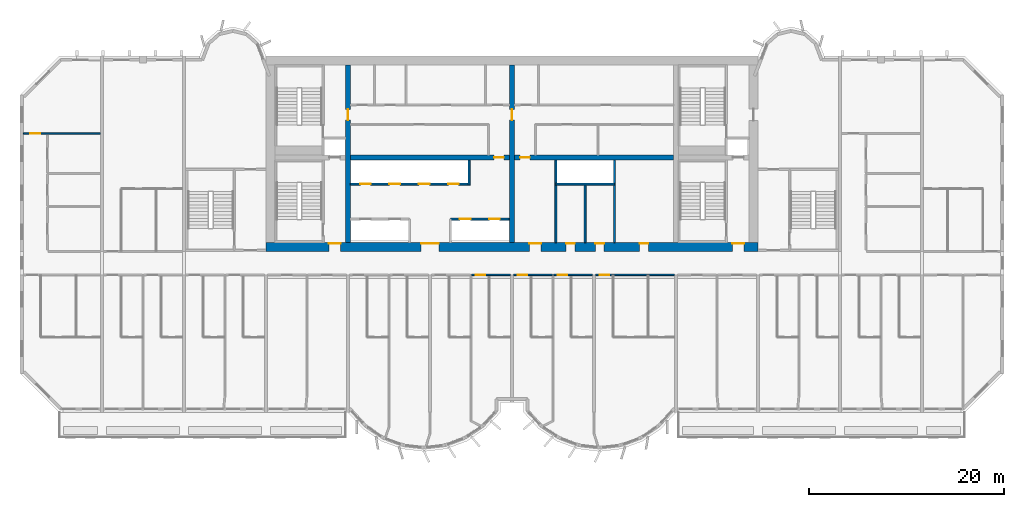
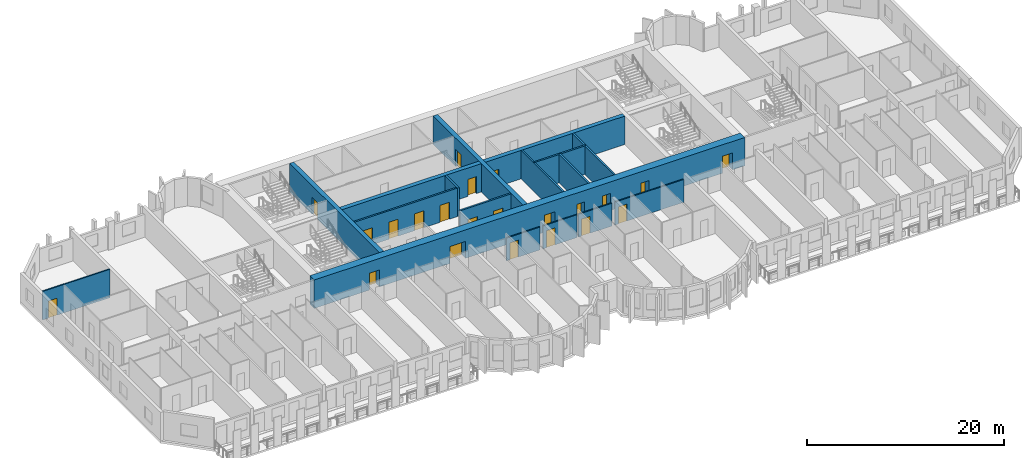
# One storey, part 6 of 14: 22 doors, 17 walls, 22 openings.
"""IFC4 building model written with IfcOpenShell, lengths in metres."""

from ifc_helpers import new_model, si_unit, direction, frame, frame_2d, origin, place, context, subcontext, project, spatial, rectangle, extrude, source, transform, mapped, material, layer, layer_set, type_object, element, fill, save


model = new_model("IFC4")

# Units and contexts
model_context = context("Model", 3, precision=1e-05, world=origin(), true_north=direction((0.0, 1.0)))
body_context = subcontext(model_context, "Body", "Model", "MODEL_VIEW")
ifc_project = project(units=[si_unit("LENGTHUNIT", "METRE"), si_unit("AREAUNIT", "SQUARE_METRE"), si_unit("VOLUMEUNIT", "CUBIC_METRE"), si_unit("PLANEANGLEUNIT", "RADIAN"), si_unit("MASSUNIT", "GRAM", prefix="KILO")], contexts=[model_context])

# Site, building, storey
site_placement = place(None, origin())
site = spatial("IfcSite", under=ifc_project, at=site_placement, CompositionType="ELEMENT")
building_placement = place(site_placement, origin())
building = spatial("IfcBuilding", under=site, at=building_placement, Name="Vanashikhar Sky Hotel", CompositionType="ELEMENT")
storey_placement = place(building_placement, frame((0.0, 0.0, 129.39990234375)))
storey = spatial("IfcBuildingStorey", under=building, at=storey_placement, Name="L31", CompositionType="ELEMENT", Elevation=129.39990234375)

# Wall, openings, doors
ifc_material_1 = material(Name="Concrete M70", Category="concrete")
ifc_layer_1 = layer(ifc_material_1, 0.89990234375)
ifc_layer_set_1 = layer_set([ifc_layer_1], Name="RC core shell wall 900 Concrete M70")
wall_type_1 = type_object("IfcWallType", Name="RC core shell wall 900 Concrete M70", PredefinedType="SHEAR", material=ifc_layer_set_1)
shared_shape_1 = source(origin(), body_context, "Body", "SweptSolid", [
    extrude(rectangle(XDim=50.400146484375, YDim=0.89990234375, at=frame_2d((25.2001953125, 0.0))), origin(), (0.0, 0.0, 1.0), 3.52001953125),
])
wall_1_placement = place(storey_placement, frame((25.199951171875, 22.449951171875, 0.0), z_axis=(0.0, 0.0, 1.0), x_axis=(1.0, 0.0, 0.0)))
wall_1 = element("IfcWall", 1, at=wall_1_placement, inside=storey, type_object=wall_type_1, Name="KW-L31-KS", PredefinedType="SHEAR", context=body_context, shape_type="MappedRepresentation", body=[
    mapped(shared_shape_1, transform((0.0, 0.0, 0.0), scale=1.0)),
])
shared_shape_2 = source(origin(), body_context, "Body", "SweptSolid", [
    extrude(rectangle(XDim=1.800048828125, YDim=2.10009765625, at=frame_2d((0.89990234375, 1.050048828125))), frame((0.0, 0.4599609375, 0.0), z_axis=(0.0, -1.0, 0.0), x_axis=(1.0, 0.0, 0.0)), (0.0, 0.0, 1.0), 0.919921875),
])
opening_1_placement = place(wall_1_placement, frame((15.89990234375, 0.0, 0.0)))
opening_1 = element("IfcOpeningElement", 2, at=opening_1_placement, cuts=wall_1, Name="Opening DC-3-A", PredefinedType="OPENING", context=body_context, shape_type="MappedRepresentation", body=[
    mapped(shared_shape_2, transform((0.0, 0.0, 0.0), scale=1.0)),
])
shared_shape_3 = source(origin(), body_context, "Body", "SweptSolid", [
    extrude(rectangle(XDim=1.199951171875, YDim=2.10009765625, at=frame_2d((0.60009765625, 1.050048828125))), frame((0.0, 0.4599609375, 0.0), z_axis=(0.0, -1.0, 0.0), x_axis=(1.0, 0.0, 0.0)), (0.0, 0.0, 1.0), 0.919921875),
])
opening_2_placement = place(wall_1_placement, frame((26.97509765625, 0.0, 0.0)))
opening_2 = element("IfcOpeningElement", 3, at=opening_2_placement, cuts=wall_1, Name="Opening DC-4-B", PredefinedType="OPENING", context=body_context, shape_type="MappedRepresentation", body=[
    mapped(shared_shape_3, transform((0.0, 0.0, 0.0), scale=1.0)),
])
shared_shape_4 = source(origin(), body_context, "Body", "SweptSolid", [
    extrude(rectangle(XDim=0.89990234375, YDim=2.10009765625, at=frame_2d((0.449951171875, 1.050048828125))), frame((0.0, 0.4599609375, 0.0), z_axis=(0.0, -1.0, 0.0), x_axis=(1.0, 0.0, 0.0)), (0.0, 0.0, 1.0), 0.919921875),
])
opening_3_placement = place(wall_1_placement, frame((33.75, 0.0, 0.0)))
opening_3 = element("IfcOpeningElement", 4, at=opening_3_placement, cuts=wall_1, Name="Opening DC-4-A", PredefinedType="OPENING", context=body_context, shape_type="MappedRepresentation", body=[
    mapped(shared_shape_4, transform((0.0, 0.0, 0.0), scale=1.0)),
])
opening_4_placement = place(wall_1_placement, frame((30.75, 0.0, 0.0)))
opening_4 = element("IfcOpeningElement", 5, at=opening_4_placement, cuts=wall_1, Name="Opening DC-4-A", PredefinedType="OPENING", context=body_context, shape_type="MappedRepresentation", body=[
    mapped(shared_shape_4, transform((0.0, 0.0, 0.0), scale=1.0)),
])
opening_5_placement = place(wall_1_placement, frame((38.27490234375, 0.0, 0.0)))
opening_5 = element("IfcOpeningElement", 6, at=opening_5_placement, cuts=wall_1, Name="Opening DC-4-A", PredefinedType="OPENING", context=body_context, shape_type="MappedRepresentation", body=[
    mapped(shared_shape_4, transform((0.0, 0.0, 0.0), scale=1.0)),
])
opening_6_placement = place(wall_1_placement, frame((6.449951171875, 0.0, 0.0)))
opening_6 = element("IfcOpeningElement", 7, at=opening_6_placement, cuts=wall_1, Name="Opening DC-2", PredefinedType="OPENING", context=body_context, shape_type="MappedRepresentation", body=[
    mapped(shared_shape_3, transform((0.0, 0.0, 0.0), scale=1.0)),
])
opening_7_placement = place(wall_1_placement, frame((47.77490234375, 0.0, 0.0)))
opening_7 = element("IfcOpeningElement", 8, at=opening_7_placement, cuts=wall_1, Name="Opening DC-2", PredefinedType="OPENING", context=body_context, shape_type="MappedRepresentation", body=[
    mapped(shared_shape_3, transform((0.0, 0.0, 0.0), scale=1.0)),
])
ifc_material_2 = material(Name="Glass", Category="glass")
door_type_1 = type_object("IfcDoorType", Name="Lift lobby entrance door 1800 FD30S", OperationType="NOTDEFINED", PredefinedType="DOOR", material=ifc_material_2)
shared_shape_5 = source(origin(), body_context, "Body", "SweptSolid", [
    extrude(rectangle(XDim=1.800048828125, YDim=2.10009765625, at=frame_2d((0.89990234375, 1.050048828125))), frame((0.0, 0.375, 0.0), z_axis=(0.0, -1.0, 0.0), x_axis=(1.0, 0.0, 0.0)), (0.0, 0.0, 1.0), 0.050048828125),
])
door_1_placement = place(opening_1_placement, origin())
door_1 = element("IfcDoor", 9, at=door_1_placement, inside=storey, type_object=door_type_1, Name="Lift lobby entrance door 1800 FD30S", OperationType="DOUBLE_DOOR_SINGLE_SWING", OverallHeight=2.10009765625, OverallWidth=1.800048828125, PredefinedType="DOOR", context=body_context, shape_type="MappedRepresentation", body=[
    mapped(shared_shape_5, transform((0.0, 0.0, 0.0), scale=1.0)),
])
fill(opening_1, door_1)
ifc_material_3 = material(Name="Steel", Category="steel")
door_type_2 = type_object("IfcDoorType", Name="Service door 1200 FD60", OperationType="NOTDEFINED", PredefinedType="DOOR", material=ifc_material_3)
shared_shape_6 = source(origin(), body_context, "Body", "SweptSolid", [
    extrude(rectangle(XDim=1.199951171875, YDim=2.10009765625, at=frame_2d((0.60009765625, 1.050048828125))), frame((0.0, 0.375, 0.0), z_axis=(0.0, -1.0, 0.0), x_axis=(1.0, 0.0, 0.0)), (0.0, 0.0, 1.0), 0.050048828125),
])
door_2_placement = place(opening_2_placement, origin())
door_2 = element("IfcDoor", 10, at=door_2_placement, inside=storey, type_object=door_type_2, Name="Service door 1200 FD60", OperationType="SINGLE_SWING_RIGHT", OverallHeight=2.10009765625, OverallWidth=1.199951171875, PredefinedType="DOOR", context=body_context, shape_type="MappedRepresentation", body=[
    mapped(shared_shape_6, transform((0.0, 0.0, 0.0), scale=1.0)),
])
fill(opening_2, door_2)
door_type_3 = type_object("IfcDoorType", Name="Firefighting lobby door 1200 FD120", OperationType="NOTDEFINED", PredefinedType="DOOR", material=ifc_material_3)
door_3_placement = place(opening_6_placement, origin())
door_3 = element("IfcDoor", 11, at=door_3_placement, inside=storey, type_object=door_type_3, Name="Firefighting lobby door 1200 FD120", OperationType="SINGLE_SWING_RIGHT", OverallHeight=2.10009765625, OverallWidth=1.199951171875, PredefinedType="DOOR", context=body_context, shape_type="MappedRepresentation", body=[
    mapped(shared_shape_6, transform((0.0, 0.0, 0.0), scale=1.0)),
])
fill(opening_6, door_3)
door_4_placement = place(opening_7_placement, origin())
door_4 = element("IfcDoor", 12, at=door_4_placement, inside=storey, type_object=door_type_3, Name="Firefighting lobby door 1200 FD120", OperationType="SINGLE_SWING_RIGHT", OverallHeight=2.10009765625, OverallWidth=1.199951171875, PredefinedType="DOOR", context=body_context, shape_type="MappedRepresentation", body=[
    mapped(shared_shape_6, transform((0.0, 0.0, 0.0), scale=1.0)),
])
fill(opening_7, door_4)
door_type_4 = type_object("IfcDoorType", Name="Service door 900 FD60", OperationType="NOTDEFINED", PredefinedType="DOOR", material=ifc_material_3)
shared_shape_7 = source(origin(), body_context, "Body", "SweptSolid", [
    extrude(rectangle(XDim=0.89990234375, YDim=2.10009765625, at=frame_2d((0.449951171875, 1.050048828125))), frame((0.0, 0.375, 0.0), z_axis=(0.0, -1.0, 0.0), x_axis=(1.0, 0.0, 0.0)), (0.0, 0.0, 1.0), 0.050048828125),
])
door_5_placement = place(opening_3_placement, origin())
door_5 = element("IfcDoor", 13, at=door_5_placement, inside=storey, type_object=door_type_4, Name="Service door 900 FD60", OperationType="SINGLE_SWING_RIGHT", OverallHeight=2.10009765625, OverallWidth=0.89990234375, PredefinedType="DOOR", context=body_context, shape_type="MappedRepresentation", body=[
    mapped(shared_shape_7, transform((0.0, 0.0, 0.0), scale=1.0)),
])
fill(opening_3, door_5)
door_6_placement = place(opening_4_placement, origin())
door_6 = element("IfcDoor", 14, at=door_6_placement, inside=storey, type_object=door_type_4, Name="Service door 900 FD60", OperationType="SINGLE_SWING_LEFT", OverallHeight=2.10009765625, OverallWidth=0.89990234375, PredefinedType="DOOR", context=body_context, shape_type="MappedRepresentation", body=[
    mapped(shared_shape_7, transform((0.0, 0.0, 0.0), scale=1.0)),
])
fill(opening_4, door_6)
door_7_placement = place(opening_5_placement, origin())
door_7 = element("IfcDoor", 15, at=door_7_placement, inside=storey, type_object=door_type_4, Name="Service door 900 FD60", OperationType="SINGLE_SWING_LEFT", OverallHeight=2.10009765625, OverallWidth=0.89990234375, PredefinedType="DOOR", context=body_context, shape_type="MappedRepresentation", body=[
    mapped(shared_shape_7, transform((0.0, 0.0, 0.0), scale=1.0)),
])
fill(opening_5, door_7)

# Wall, opening, door
ifc_layer_2 = layer(ifc_material_1, 0.5)
ifc_layer_set_2 = layer_set([ifc_layer_2], Name="RC core inner wall 500 Concrete M70")
wall_type_2 = type_object("IfcWallType", Name="RC core inner wall 500 Concrete M70", PredefinedType="SHEAR", material=ifc_layer_set_2)
shared_shape_8 = source(origin(), body_context, "Body", "SweptSolid", [
    extrude(rectangle(XDim=18.2001953125, YDim=0.5, at=frame_2d((9.10009765625, 0.0))), origin(), (0.0, 0.0, 1.0), 3.52001953125),
])
wall_2_placement = place(storey_placement, frame((33.60009765625, 22.89990234375, 0.0), z_axis=(0.0, 0.0, 1.0), x_axis=(0.0, 1.0, 0.0)))
wall_2 = element("IfcWall", 16, at=wall_2_placement, inside=storey, type_object=wall_type_2, Name="KW-L31-KX1", PredefinedType="SHEAR", context=body_context, shape_type="MappedRepresentation", body=[
    mapped(shared_shape_8, transform((0.0, 0.0, 0.0), scale=1.0)),
])
shared_shape_9 = source(origin(), body_context, "Body", "SweptSolid", [
    extrude(rectangle(XDim=1.10009765625, YDim=2.10009765625, at=frame_2d((0.550048828125, 1.050048828125))), frame((0.0, 0.260009765625, 0.0), z_axis=(0.0, -1.0, 0.0), x_axis=(1.0, 0.0, 0.0)), (0.0, 0.0, 1.0), 0.52001953125),
])
opening_8_placement = place(wall_2_placement, frame((12.550048828125, 0.0, 0.0)))
opening_8 = element("IfcOpeningElement", 17, at=opening_8_placement, cuts=wall_2, Name="Opening DC-4-C", PredefinedType="OPENING", context=body_context, shape_type="MappedRepresentation", body=[
    mapped(shared_shape_9, transform((0.0, 0.0, 0.0), scale=1.0)),
])
door_type_5 = type_object("IfcDoorType", Name="Service door 1100 FD60", OperationType="NOTDEFINED", PredefinedType="DOOR", material=ifc_material_3)
shared_shape_10 = source(origin(), body_context, "Body", "SweptSolid", [
    extrude(rectangle(XDim=1.10009765625, YDim=2.10009765625, at=frame_2d((0.550048828125, 1.050048828125))), frame((0.0, 0.02490234375, 0.0), z_axis=(0.0, -1.0, 0.0), x_axis=(1.0, 0.0, 0.0)), (0.0, 0.0, 1.0), 0.050048828125),
])
door_8_placement = place(opening_8_placement, origin())
door_8 = element("IfcDoor", 18, at=door_8_placement, inside=storey, type_object=door_type_5, Name="Service door 1100 FD60", OperationType="SINGLE_SWING_RIGHT", OverallHeight=2.10009765625, OverallWidth=1.10009765625, PredefinedType="DOOR", context=body_context, shape_type="MappedRepresentation", body=[
    mapped(shared_shape_10, transform((0.0, 0.0, 0.0), scale=1.0)),
])
fill(opening_8, door_8)

wall_3_placement = place(storey_placement, frame((50.39990234375, 22.89990234375, 0.0), z_axis=(0.0, 0.0, 1.0), x_axis=(0.0, 1.0, 0.0)))
wall_3 = element("IfcWall", 19, at=wall_3_placement, inside=storey, type_object=wall_type_2, Name="KW-L31-KX2", PredefinedType="SHEAR", context=body_context, shape_type="MappedRepresentation", body=[
    mapped(shared_shape_8, transform((0.0, 0.0, 0.0), scale=1.0)),
])
opening_9_placement = place(wall_3_placement, frame((12.550048828125, 0.0, 0.0)))
opening_9 = element("IfcOpeningElement", 20, at=opening_9_placement, cuts=wall_3, Name="Opening DC-4-C", PredefinedType="OPENING", context=body_context, shape_type="MappedRepresentation", body=[
    mapped(shared_shape_9, transform((0.0, 0.0, 0.0), scale=1.0)),
])
door_9_placement = place(opening_9_placement, origin())
door_9 = element("IfcDoor", 21, at=door_9_placement, inside=storey, type_object=door_type_5, Name="Service door 1100 FD60", OperationType="SINGLE_SWING_LEFT", OverallHeight=2.10009765625, OverallWidth=1.10009765625, PredefinedType="DOOR", context=body_context, shape_type="MappedRepresentation", body=[
    mapped(shared_shape_10, transform((0.0, 0.0, 0.0), scale=1.0)),
])
fill(opening_9, door_9)

shared_shape_11 = source(origin(), body_context, "Body", "SweptSolid", [
    extrude(rectangle(XDim=16.2998046875, YDim=0.5, at=frame_2d((8.14990234375, 0.0))), origin(), (0.0, 0.0, 1.0), 3.52001953125),
])
wall_4_placement = place(storey_placement, frame((33.85009765625, 31.60009765625, 0.0), z_axis=(0.0, 0.0, 1.0), x_axis=(1.0, 0.0, 0.0)))
wall_4 = element("IfcWall", 22, at=wall_4_placement, inside=storey, type_object=wall_type_2, Name="KW-L31-KY2", PredefinedType="SHEAR", context=body_context, shape_type="MappedRepresentation", body=[
    mapped(shared_shape_11, transform((0.0, 0.0, 0.0), scale=1.0)),
])
shared_shape_12 = source(origin(), body_context, "Body", "SweptSolid", [
    extrude(rectangle(XDim=1.0, YDim=2.10009765625, at=frame_2d((0.5, 1.050048828125))), frame((0.0, 0.260009765625, 0.0), z_axis=(0.0, -1.0, 0.0), x_axis=(1.0, 0.0, 0.0)), (0.0, 0.0, 1.0), 0.52001953125),
])
opening_10_placement = place(wall_4_placement, frame((14.72509765625, 0.0, 0.0)))
opening_10 = element("IfcOpeningElement", 23, at=opening_10_placement, cuts=wall_4, Name="Opening DC-4", PredefinedType="OPENING", context=body_context, shape_type="MappedRepresentation", body=[
    mapped(shared_shape_12, transform((0.0, 0.0, 0.0), scale=1.0)),
])
door_type_6 = type_object("IfcDoorType", Name="Service door 1000 FD60", OperationType="NOTDEFINED", PredefinedType="DOOR", material=ifc_material_3)
shared_shape_13 = source(origin(), body_context, "Body", "SweptSolid", [
    extrude(rectangle(XDim=1.0, YDim=2.10009765625, at=frame_2d((0.5, 1.050048828125))), frame((0.0, 0.02490234375, 0.0), z_axis=(0.0, -1.0, 0.0), x_axis=(1.0, 0.0, 0.0)), (0.0, 0.0, 1.0), 0.050048828125),
])
door_10_placement = place(opening_10_placement, origin())
door_10 = element("IfcDoor", 24, at=door_10_placement, inside=storey, type_object=door_type_6, Name="Service door 1000 FD60", OperationType="SINGLE_SWING_LEFT", OverallHeight=2.10009765625, OverallWidth=1.0, PredefinedType="DOOR", context=body_context, shape_type="MappedRepresentation", body=[
    mapped(shared_shape_13, transform((0.0, 0.0, 0.0), scale=1.0)),
])
fill(opening_10, door_10)

shared_shape_14 = source(origin(), body_context, "Body", "SweptSolid", [
    extrude(rectangle(XDim=16.300048828125, YDim=0.5, at=frame_2d((8.14990234375, 0.0))), origin(), (0.0, 0.0, 1.0), 3.52001953125),
])
wall_5_placement = place(storey_placement, frame((50.64990234375, 31.60009765625, 0.0), z_axis=(0.0, 0.0, 1.0), x_axis=(1.0, 0.0, 0.0)))
wall_5 = element("IfcWall", 25, at=wall_5_placement, inside=storey, type_object=wall_type_2, Name="KW-L31-KY3", PredefinedType="SHEAR", context=body_context, shape_type="MappedRepresentation", body=[
    mapped(shared_shape_14, transform((0.0, 0.0, 0.0), scale=1.0)),
])
opening_11_placement = place(wall_5_placement, frame((0.574951171875, 0.0, 0.0)))
opening_11 = element("IfcOpeningElement", 26, at=opening_11_placement, cuts=wall_5, Name="Opening DC-4", PredefinedType="OPENING", context=body_context, shape_type="MappedRepresentation", body=[
    mapped(shared_shape_12, transform((0.0, 0.0, 0.0), scale=1.0)),
])
door_11_placement = place(opening_11_placement, origin())
door_11 = element("IfcDoor", 27, at=door_11_placement, inside=storey, type_object=door_type_6, Name="Service door 1000 FD60", OperationType="SINGLE_SWING_RIGHT", OverallHeight=2.10009765625, OverallWidth=1.0, PredefinedType="DOOR", context=body_context, shape_type="MappedRepresentation", body=[
    mapped(shared_shape_13, transform((0.0, 0.0, 0.0), scale=1.0)),
])
fill(opening_11, door_11)

# Wall, openings, doors
ifc_material_4 = material(Name="Concrete M40", Category="concrete")
ifc_layer_3 = layer(ifc_material_4, 0.199951171875)
ifc_layer_set_3 = layer_set([ifc_layer_3], Name="Shaft wall 200")
wall_type_3 = type_object("IfcWallType", Name="Shaft wall 200", PredefinedType="SOLIDWALL", material=ifc_layer_set_3)
shared_shape_15 = source(origin(), body_context, "Body", "SweptSolid", [
    extrude(rectangle(XDim=6.0, YDim=0.199951171875, at=frame_2d((3.0, 0.0))), origin(), (0.0, 0.0, 1.0), 3.52001953125),
])
wall_6_placement = place(storey_placement, frame((44.10009765625, 25.300048828125, 0.0), z_axis=(0.0, 0.0, 1.0), x_axis=(1.0, 0.0, 0.0)))
wall_6 = element("IfcWall", 28, at=wall_6_placement, inside=storey, type_object=wall_type_3, Name="Shaft wall 200", PredefinedType="SOLIDWALL", context=body_context, shape_type="MappedRepresentation", body=[
    mapped(shared_shape_15, transform((0.0, 0.0, 0.0), scale=1.0)),
])
shared_shape_16 = source(origin(), body_context, "Body", "SweptSolid", [
    extrude(rectangle(XDim=1.10009765625, YDim=2.10009765625, at=frame_2d((0.550048828125, 1.050048828125))), frame((0.0, 0.10986328125, 0.0), z_axis=(0.0, -1.0, 0.0), x_axis=(1.0, 0.0, 0.0)), (0.0, 0.0, 1.0), 0.219970703125),
])
opening_12_placement = place(wall_6_placement, frame((0.949951171875, 0.0, 0.0)))
opening_12 = element("IfcOpeningElement", 29, at=opening_12_placement, cuts=wall_6, Name="Opening LD", PredefinedType="OPENING", context=body_context, shape_type="MappedRepresentation", body=[
    mapped(shared_shape_16, transform((0.0, 0.0, 0.0), scale=1.0)),
])
opening_13_placement = place(wall_6_placement, frame((3.949951171875, 0.0, 0.0)))
opening_13 = element("IfcOpeningElement", 30, at=opening_13_placement, cuts=wall_6, Name="Opening LD", PredefinedType="OPENING", context=body_context, shape_type="MappedRepresentation", body=[
    mapped(shared_shape_16, transform((0.0, 0.0, 0.0), scale=1.0)),
])
ifc_material_5 = material(Name="Stainless steel", Category="steel")
door_type_7 = type_object("IfcDoorType", Name="Lift landing door 1100", OperationType="NOTDEFINED", PredefinedType="DOOR", material=ifc_material_5)
door_12_placement = place(opening_12_placement, origin())
door_12 = element("IfcDoor", 31, at=door_12_placement, inside=storey, type_object=door_type_7, Name="Lift landing door 1100", OperationType="SLIDING_TO_LEFT", OverallHeight=2.10009765625, OverallWidth=1.10009765625, PredefinedType="DOOR", context=body_context, shape_type="MappedRepresentation", body=[
    mapped(shared_shape_10, transform((0.0, 0.0, 0.0), scale=1.0)),
])
fill(opening_12, door_12)
door_13_placement = place(opening_13_placement, origin())
door_13 = element("IfcDoor", 32, at=door_13_placement, inside=storey, type_object=door_type_7, Name="Lift landing door 1100", OperationType="SLIDING_TO_RIGHT", OverallHeight=2.10009765625, OverallWidth=1.10009765625, PredefinedType="DOOR", context=body_context, shape_type="MappedRepresentation", body=[
    mapped(shared_shape_10, transform((0.0, 0.0, 0.0), scale=1.0)),
])
fill(opening_13, door_13)

# Walls
wall_7_placement = place(storey_placement, frame((60.89990234375, 28.89990234375, 0.0), z_axis=(0.0, 0.0, 1.0), x_axis=(-1.0, 0.0, 0.0)))
element("IfcWall", 33, at=wall_7_placement, inside=storey, type_object=wall_type_3, Name="Shaft wall 200", PredefinedType="SOLIDWALL", context=body_context, shape_type="MappedRepresentation", body=[
    mapped(shared_shape_15, transform((0.0, 0.0, 0.0), scale=1.0)),
])
ifc_material_6 = material(Name="Gypsum board partition")
ifc_layer_4 = layer(ifc_material_6, 0.14990234375)
ifc_layer_set_4 = layer_set([ifc_layer_4], Name="Service partition 150")
wall_type_4 = type_object("IfcWallType", Name="Service partition 150", PredefinedType="PARTITIONING", material=ifc_layer_set_4)
wall_8_placement = place(storey_placement, frame((57.89990234375, 22.89990234375, 0.0), z_axis=(0.0, 0.0, 1.0), x_axis=(0.0, 1.0, 0.0)))
element("IfcWall", 34, at=wall_8_placement, inside=storey, type_object=wall_type_4, Name="Service partition 150", PredefinedType="PARTITIONING", context=body_context, shape_type="MappedRepresentation", body=[
    mapped(shared_shape_15, transform((0.0, 0.0, 0.0), scale=1.0)),
])

# Wall, openings, doors
shared_shape_17 = source(origin(), body_context, "Body", "SweptSolid", [
    extrude(rectangle(XDim=12.0498046875, YDim=0.199951171875, at=frame_2d((6.02490234375, 0.0))), origin(), (0.0, 0.0, 1.0), 3.52001953125),
])
wall_9_placement = place(storey_placement, frame((33.85009765625, 28.89990234375, 0.0), z_axis=(0.0, 0.0, 1.0), x_axis=(1.0, 0.0, 0.0)))
wall_9 = element("IfcWall", 35, at=wall_9_placement, inside=storey, type_object=wall_type_3, Name="Shaft wall 200", PredefinedType="SOLIDWALL", context=body_context, shape_type="MappedRepresentation", body=[
    mapped(shared_shape_17, transform((0.0, 0.0, 0.0), scale=1.0)),
])
opening_14_placement = place(wall_9_placement, frame((1.0, 0.0, 0.0)))
opening_14 = element("IfcOpeningElement", 36, at=opening_14_placement, cuts=wall_9, Name="Opening LD", PredefinedType="OPENING", context=body_context, shape_type="MappedRepresentation", body=[
    mapped(shared_shape_16, transform((0.0, 0.0, 0.0), scale=1.0)),
])
opening_15_placement = place(wall_9_placement, frame((4.0, 0.0, 0.0)))
opening_15 = element("IfcOpeningElement", 37, at=opening_15_placement, cuts=wall_9, Name="Opening LD", PredefinedType="OPENING", context=body_context, shape_type="MappedRepresentation", body=[
    mapped(shared_shape_16, transform((0.0, 0.0, 0.0), scale=1.0)),
])
opening_16_placement = place(wall_9_placement, frame((7.0, 0.0, 0.0)))
opening_16 = element("IfcOpeningElement", 38, at=opening_16_placement, cuts=wall_9, Name="Opening LD", PredefinedType="OPENING", context=body_context, shape_type="MappedRepresentation", body=[
    mapped(shared_shape_16, transform((0.0, 0.0, 0.0), scale=1.0)),
])
opening_17_placement = place(wall_9_placement, frame((10.0, 0.0, 0.0)))
opening_17 = element("IfcOpeningElement", 39, at=opening_17_placement, cuts=wall_9, Name="Opening LD", PredefinedType="OPENING", context=body_context, shape_type="MappedRepresentation", body=[
    mapped(shared_shape_16, transform((0.0, 0.0, 0.0), scale=1.0)),
])
door_14_placement = place(opening_14_placement, origin())
door_14 = element("IfcDoor", 40, at=door_14_placement, inside=storey, type_object=door_type_7, Name="Lift landing door 1100", OperationType="SLIDING_TO_LEFT", OverallHeight=2.10009765625, OverallWidth=1.10009765625, PredefinedType="DOOR", context=body_context, shape_type="MappedRepresentation", body=[
    mapped(shared_shape_10, transform((0.0, 0.0, 0.0), scale=1.0)),
])
fill(opening_14, door_14)
door_15_placement = place(opening_15_placement, origin())
door_15 = element("IfcDoor", 41, at=door_15_placement, inside=storey, type_object=door_type_7, Name="Lift landing door 1100", OperationType="SLIDING_TO_RIGHT", OverallHeight=2.10009765625, OverallWidth=1.10009765625, PredefinedType="DOOR", context=body_context, shape_type="MappedRepresentation", body=[
    mapped(shared_shape_10, transform((0.0, 0.0, 0.0), scale=1.0)),
])
fill(opening_15, door_15)
door_16_placement = place(opening_16_placement, origin())
door_16 = element("IfcDoor", 42, at=door_16_placement, inside=storey, type_object=door_type_7, Name="Lift landing door 1100", OperationType="SLIDING_TO_LEFT", OverallHeight=2.10009765625, OverallWidth=1.10009765625, PredefinedType="DOOR", context=body_context, shape_type="MappedRepresentation", body=[
    mapped(shared_shape_10, transform((0.0, 0.0, 0.0), scale=1.0)),
])
fill(opening_16, door_16)
door_17_placement = place(opening_17_placement, origin())
door_17 = element("IfcDoor", 43, at=door_17_placement, inside=storey, type_object=door_type_7, Name="Lift landing door 1100", OperationType="SLIDING_TO_RIGHT", OverallHeight=2.10009765625, OverallWidth=1.10009765625, PredefinedType="DOOR", context=body_context, shape_type="MappedRepresentation", body=[
    mapped(shared_shape_10, transform((0.0, 0.0, 0.0), scale=1.0)),
])
fill(opening_17, door_17)

# Walls
shared_shape_18 = source(origin(), body_context, "Body", "SweptSolid", [
    extrude(rectangle(XDim=2.550048828125, YDim=0.199951171875, at=frame_2d((1.27490234375, 0.0))), origin(), (0.0, 0.0, 1.0), 3.52001953125),
])
wall_10_placement = place(storey_placement, frame((46.0, 28.800048828125, 0.0), z_axis=(0.0, 0.0, 1.0), x_axis=(0.0, 1.0, 0.0)))
element("IfcWall", 44, at=wall_10_placement, inside=storey, type_object=wall_type_3, Name="Shaft wall 200", PredefinedType="SOLIDWALL", context=body_context, shape_type="MappedRepresentation", body=[
    mapped(shared_shape_18, transform((0.0, 0.0, 0.0), scale=1.0)),
])
shared_shape_19 = source(origin(), body_context, "Body", "SweptSolid", [
    extrude(rectangle(XDim=8.4501953125, YDim=0.199951171875, at=frame_2d((4.22509765625, 0.0))), origin(), (0.0, 0.0, 1.0), 3.52001953125),
])
for number, where, z_axis, x_axis, name in (
    (45, (54.89990234375, 22.89990234375, 0.0), (0.0, 0.0, 1.0), (0.0, 1.0, 0.0), "Service partition 150"),
    (46, (60.89990234375, 22.89990234375, 0.0), (0.0, 0.0, 1.0), (0.0, 1.0, 0.0), "Service partition 150"),
):
    element("IfcWall", number, at=place(storey_placement, frame(where, z_axis=z_axis, x_axis=x_axis)), inside=storey, type_object=wall_type_4, Name=name, PredefinedType="PARTITIONING", context=body_context, shape_type="MappedRepresentation", body=[
        mapped(shared_shape_19, transform((0.0, 0.0, 0.0), scale=1.0)),
    ])

# Wall, opening, door
ifc_material_7 = material(Name="Gypsum plasterboard partition")
ifc_layer_5 = layer(ifc_material_7, 0.14990234375)
ifc_layer_set_5 = layer_set([ifc_layer_5], Name="Corridor and demising partition 150")
wall_type_5 = type_object("IfcWallType", Name="Corridor and demising partition 150", PredefinedType="PARTITIONING", material=ifc_layer_set_5)
shared_shape_20 = source(origin(), body_context, "Body", "SweptSolid", [
    extrude(rectangle(XDim=3.9501953125, YDim=0.14990234375, at=frame_2d((1.97509765625, 0.0))), origin(), (0.0, 0.0, 1.0), 2.820068359375),
])
wall_11_placement = place(storey_placement, frame((46.27490234375, 19.60009765625, 0.0), z_axis=(0.0, 0.0, 1.0), x_axis=(1.0, 0.0, 0.0)))
wall_11 = element("IfcWall", 47, at=wall_11_placement, inside=storey, type_object=wall_type_5, Name="W-L31-PW035", PredefinedType="PARTITIONING", context=body_context, shape_type="MappedRepresentation", body=[
    mapped(shared_shape_20, transform((0.0, 0.0, 0.0), scale=1.0)),
])
shared_shape_21 = source(origin(), body_context, "Body", "SweptSolid", [
    extrude(rectangle(XDim=1.0, YDim=2.10009765625, at=frame_2d((0.5, 1.050048828125))), frame((0.0, 0.0849609375, 0.0), z_axis=(0.0, -1.0, 0.0), x_axis=(1.0, 0.0, 0.0)), (0.0, 0.0, 1.0), 0.169921875),
])
opening_18_placement = place(wall_11_placement, frame((0.39990234375, 0.0, 0.0)))
opening_18 = element("IfcOpeningElement", 48, at=opening_18_placement, cuts=wall_11, Name="Opening D-01", PredefinedType="OPENING", context=body_context, shape_type="MappedRepresentation", body=[
    mapped(shared_shape_21, transform((0.0, 0.0, 0.0), scale=1.0)),
])
ifc_material_8 = material(Name="Timber fire door", Category="wood")
door_type_8 = type_object("IfcDoorType", Name="Guest entry door 1000 FD30S", OperationType="NOTDEFINED", PredefinedType="DOOR", material=ifc_material_8)
door_18_placement = place(opening_18_placement, origin())
door_18 = element("IfcDoor", 49, at=door_18_placement, inside=storey, type_object=door_type_8, Name="D-L31-021", OperationType="SINGLE_SWING_LEFT", OverallHeight=2.10009765625, OverallWidth=1.0, PredefinedType="DOOR", context=body_context, shape_type="MappedRepresentation", body=[
    mapped(shared_shape_13, transform((0.0, 0.0, 0.0), scale=1.0)),
])
fill(opening_18, door_18)

shared_shape_22 = source(origin(), body_context, "Body", "SweptSolid", [
    extrude(rectangle(XDim=8.0498046875, YDim=0.14990234375, at=frame_2d((4.02490234375, 0.0))), origin(), (0.0, 0.0, 1.0), 2.820068359375),
])
wall_12_placement = place(storey_placement, frame((58.97509765625, 19.60009765625, 0.0), z_axis=(0.0, 0.0, 1.0), x_axis=(1.0, 0.0, 0.0)))
wall_12 = element("IfcWall", 50, at=wall_12_placement, inside=storey, type_object=wall_type_5, Name="W-L31-PW048", PredefinedType="PARTITIONING", context=body_context, shape_type="MappedRepresentation", body=[
    mapped(shared_shape_22, transform((0.0, 0.0, 0.0), scale=1.0)),
])
opening_19_placement = place(wall_12_placement, frame((0.39990234375, 0.0, 0.0)))
opening_19 = element("IfcOpeningElement", 51, at=opening_19_placement, cuts=wall_12, Name="Opening D-01", PredefinedType="OPENING", context=body_context, shape_type="MappedRepresentation", body=[
    mapped(shared_shape_21, transform((0.0, 0.0, 0.0), scale=1.0)),
])
door_19_placement = place(opening_19_placement, origin())
door_19 = element("IfcDoor", 52, at=door_19_placement, inside=storey, type_object=door_type_8, Name="D-L31-028", OperationType="SINGLE_SWING_LEFT", OverallHeight=2.10009765625, OverallWidth=1.0, PredefinedType="DOOR", context=body_context, shape_type="MappedRepresentation", body=[
    mapped(shared_shape_13, transform((0.0, 0.0, 0.0), scale=1.0)),
])
fill(opening_19, door_19)

shared_shape_23 = source(origin(), body_context, "Body", "SweptSolid", [
    extrude(rectangle(XDim=3.949951171875, YDim=0.14990234375, at=frame_2d((1.97509765625, 0.0))), origin(), (0.0, 0.0, 1.0), 2.820068359375),
])
wall_13_placement = place(storey_placement, frame((50.574951171875, 19.60009765625, 0.0), z_axis=(0.0, 0.0, 1.0), x_axis=(1.0, 0.0, 0.0)))
wall_13 = element("IfcWall", 53, at=wall_13_placement, inside=storey, type_object=wall_type_5, Name="W-L31-PW039", PredefinedType="PARTITIONING", context=body_context, shape_type="MappedRepresentation", body=[
    mapped(shared_shape_23, transform((0.0, 0.0, 0.0), scale=1.0)),
])
opening_20_placement = place(wall_13_placement, frame((0.39990234375, 0.0, 0.0)))
opening_20 = element("IfcOpeningElement", 54, at=opening_20_placement, cuts=wall_13, Name="Opening D-01", PredefinedType="OPENING", context=body_context, shape_type="MappedRepresentation", body=[
    mapped(shared_shape_21, transform((0.0, 0.0, 0.0), scale=1.0)),
])
door_20_placement = place(opening_20_placement, origin())
door_20 = element("IfcDoor", 55, at=door_20_placement, inside=storey, type_object=door_type_8, Name="D-L31-023", OperationType="SINGLE_SWING_LEFT", OverallHeight=2.10009765625, OverallWidth=1.0, PredefinedType="DOOR", context=body_context, shape_type="MappedRepresentation", body=[
    mapped(shared_shape_13, transform((0.0, 0.0, 0.0), scale=1.0)),
])
fill(opening_20, door_20)

wall_14_placement = place(storey_placement, frame((54.675048828125, 19.60009765625, 0.0), z_axis=(0.0, 0.0, 1.0), x_axis=(1.0, 0.0, 0.0)))
wall_14 = element("IfcWall", 56, at=wall_14_placement, inside=storey, type_object=wall_type_5, Name="W-L31-PW042", PredefinedType="PARTITIONING", context=body_context, shape_type="MappedRepresentation", body=[
    mapped(shared_shape_23, transform((0.0, 0.0, 0.0), scale=1.0)),
])
opening_21_placement = place(wall_14_placement, frame((0.39990234375, 0.0, 0.0)))
opening_21 = element("IfcOpeningElement", 57, at=opening_21_placement, cuts=wall_14, Name="Opening D-01", PredefinedType="OPENING", context=body_context, shape_type="MappedRepresentation", body=[
    mapped(shared_shape_21, transform((0.0, 0.0, 0.0), scale=1.0)),
])
door_21_placement = place(opening_21_placement, origin())
door_21 = element("IfcDoor", 58, at=door_21_placement, inside=storey, type_object=door_type_8, Name="D-L31-025", OperationType="SINGLE_SWING_LEFT", OverallHeight=2.10009765625, OverallWidth=1.0, PredefinedType="DOOR", context=body_context, shape_type="MappedRepresentation", body=[
    mapped(shared_shape_13, transform((0.0, 0.0, 0.0), scale=1.0)),
])
fill(opening_21, door_21)

shared_shape_24 = source(origin(), body_context, "Body", "SweptSolid", [
    extrude(rectangle(XDim=7.875, YDim=0.14990234375, at=frame_2d((3.9375, 0.0))), origin(), (0.0, 0.0, 1.0), 3.52001953125),
])
wall_15_placement = place(storey_placement, frame((0.35009765625, 34.074951171875, 0.0), z_axis=(0.0, 0.0, 1.0), x_axis=(1.0, 0.0, 0.0)))
wall_15 = element("IfcWall", 59, at=wall_15_placement, inside=storey, type_object=wall_type_5, Name="W-L31-PW077", PredefinedType="PARTITIONING", context=body_context, shape_type="MappedRepresentation", body=[
    mapped(shared_shape_24, transform((0.0, 0.0, 0.0), scale=1.0)),
])
opening_22_placement = place(wall_15_placement, frame((0.699951171875, 0.0, 0.0)))
opening_22 = element("IfcOpeningElement", 60, at=opening_22_placement, cuts=wall_15, Name="Opening D-01", PredefinedType="OPENING", context=body_context, shape_type="MappedRepresentation", body=[
    mapped(shared_shape_21, transform((0.0, 0.0, 0.0), scale=1.0)),
])
door_22_placement = place(opening_22_placement, origin())
door_22 = element("IfcDoor", 61, at=door_22_placement, inside=storey, type_object=door_type_8, Name="D-L31-044", OperationType="SINGLE_SWING_LEFT", OverallHeight=2.10009765625, OverallWidth=1.0, PredefinedType="DOOR", context=body_context, shape_type="MappedRepresentation", body=[
    mapped(shared_shape_13, transform((0.0, 0.0, 0.0), scale=1.0)),
])
fill(opening_22, door_22)

save(model, "model.ifc")
